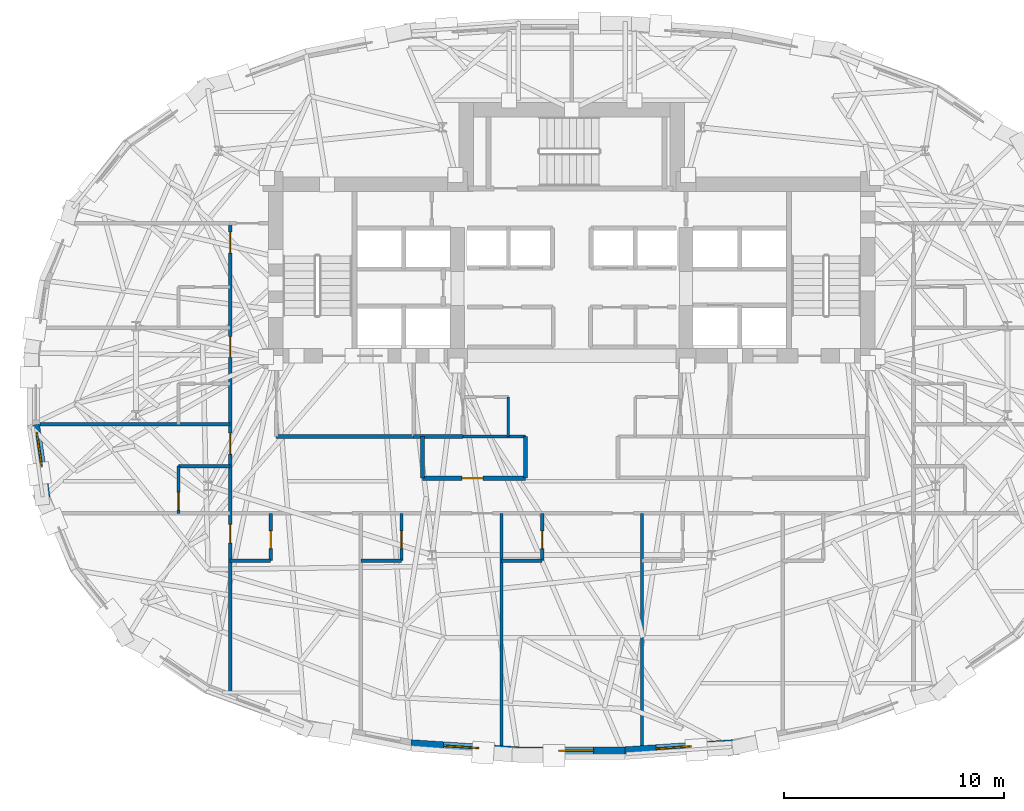
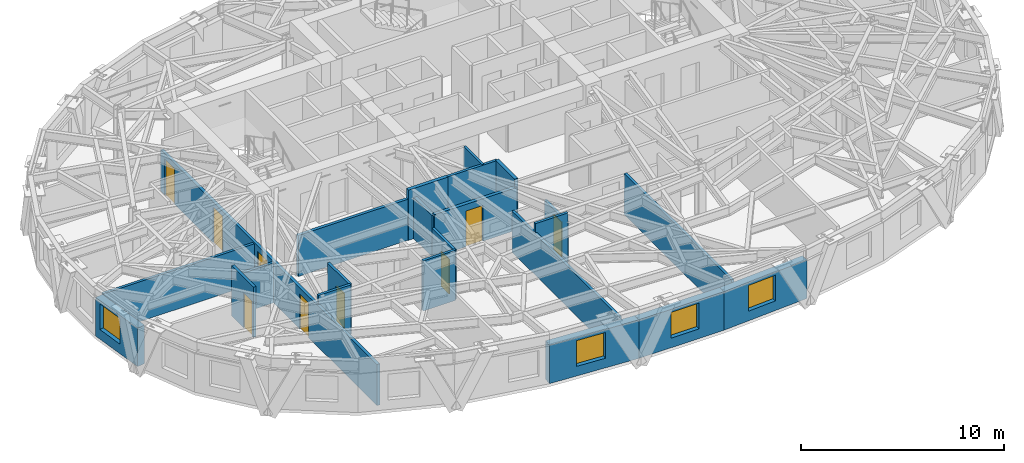
# One storey, part 6 of 15: 23 walls, 9 doors, 4 windows, 13 openings.
"""IFC4 building model written with IfcOpenShell, lengths in metres."""

from ifc_helpers import new_model, si_unit, direction, frame, frame_2d, origin, place, context, subcontext, project, spatial, rectangle, extrude, material, layer, layer_set, type_object, element, fill, save


model = new_model("IFC4")

# Units and contexts
model_context = context("Model", 3, precision=1e-05, world=origin(), true_north=direction((0.0, 1.0)))
body_context = subcontext(model_context, "Body", "Model", "MODEL_VIEW")
ifc_project = project(units=[si_unit("LENGTHUNIT", "METRE"), si_unit("AREAUNIT", "SQUARE_METRE"), si_unit("VOLUMEUNIT", "CUBIC_METRE"), si_unit("PLANEANGLEUNIT", "RADIAN"), si_unit("MASSUNIT", "GRAM", prefix="KILO")], contexts=[model_context])

# Site, building, storey
site_placement = place(None, origin())
site = spatial("IfcSite", under=ifc_project, at=site_placement, CompositionType="ELEMENT")
building_placement = place(site_placement, origin())
building = spatial("IfcBuilding", under=site, at=building_placement, Name="Keldmark Tower", CompositionType="ELEMENT")
storey_placement = place(building_placement, frame((0.0, 0.0, 147.0)))
storey = spatial("IfcBuildingStorey", under=building, at=storey_placement, Name="L39", CompositionType="ELEMENT", Elevation=147.0)

# Wall, opening, door
ifc_material_1 = material(Name="Heavy Acoustic Plumbing Chase Gypsum Assembly", Category="gypsum")
ifc_layer_1 = layer(ifc_material_1, 0.18994140625)
ifc_layer_set_1 = layer_set([ifc_layer_1], Name="Heavy Acoustic Plumbing Chase Gypsum Assembly")
wall_type_1 = type_object("IfcWallType", Name="Heavy Wet Wall 190 mm", PredefinedType="PLUMBINGWALL", material=ifc_layer_set_1)
wall_1_placement = place(storey_placement, frame((-6.800048828125, -4.050048828125, 0.0), z_axis=(0.0, 0.0, 1.0), x_axis=(1.0, 0.0, 0.0)))
wall_1 = element("IfcWall", 1, at=wall_1_placement, inside=storey, type_object=wall_type_1, Name="L39 Heavy Wet Wall 190 mm SPK-W-S", PredefinedType="PLUMBINGWALL", context=body_context, shape_type="SweptSolid", body=[
    extrude(rectangle(XDim=4.699951171875, YDim=0.18994140625, at=frame_2d((2.35009765625, 0.0))), origin(), (0.0, 0.0, 1.0), 2.554931640625),
])
opening_1_placement = place(wall_1_placement, frame((1.800048828125, 0.0, 0.0)))
opening_1 = element("IfcOpeningElement", 2, at=opening_1_placement, cuts=wall_1, Name="Opening D-AWC95", PredefinedType="OPENING", context=body_context, shape_type="SweptSolid", body=[
    extrude(rectangle(XDim=0.949951171875, YDim=2.14990234375, at=frame_2d((0.47509765625, 1.074951171875))), frame((0.0, 0.10498046875, 0.0), z_axis=(0.0, -1.0, 0.0), x_axis=(1.0, 0.0, 0.0)), (0.0, 0.0, 1.0), 0.2099609375),
])
ifc_material_2 = material(Name="Painted Solid-Core Architectural Wood", Category="wood")
door_type_1 = type_object("IfcDoorType", Name="Accessible WC Door 950x2150", OperationType="NOTDEFINED", PredefinedType="DOOR", material=ifc_material_2)
door_1_placement = place(opening_1_placement, origin())
door_1 = element("IfcDoor", 3, at=door_1_placement, inside=storey, type_object=door_type_1, Name="L39 Accessible WC Door 950x2150 D-SPKW1-L39", OperationType="SINGLE_SWING_LEFT", OverallHeight=2.14990234375, OverallWidth=0.949951171875, PredefinedType="DOOR", context=body_context, shape_type="SweptSolid", body=[
    extrude(rectangle(XDim=0.949951171875, YDim=2.14990234375, at=frame_2d((0.47509765625, 1.074951171875))), frame((0.0, 0.02490234375, 0.0), z_axis=(0.0, -1.0, 0.0), x_axis=(1.0, 0.0, 0.0)), (0.0, 0.0, 1.0), 0.050048828125),
])
fill(opening_1, door_1)

# Walls
wall_2_placement = place(storey_placement, frame((-6.800048828125, -4.050048828125, 0.0), z_axis=(0.0, 0.0, 1.0), x_axis=(0.0, 1.0, 0.0)))
element("IfcWall", 4, at=wall_2_placement, inside=storey, type_object=wall_type_1, Name="L39 Heavy Wet Wall 190 mm SPK-W-W", PredefinedType="PLUMBINGWALL", context=body_context, shape_type="SweptSolid", body=[
    extrude(rectangle(XDim=1.900146484375, YDim=0.18994140625, at=frame_2d((0.9501953125, 0.0))), origin(), (0.0, 0.0, 1.0), 2.472900390625),
])
wall_3_placement = place(storey_placement, frame((-2.10009765625, -4.050048828125, 0.0), z_axis=(0.0, 0.0, 1.0), x_axis=(0.0, 1.0, 0.0)))
element("IfcWall", 5, at=wall_3_placement, inside=storey, type_object=wall_type_1, Name="L39 Heavy Wet Wall 190 mm SPK-W-E", PredefinedType="PLUMBINGWALL", context=body_context, shape_type="SweptSolid", body=[
    extrude(rectangle(XDim=1.900146484375, YDim=0.18994140625, at=frame_2d((0.9501953125, 0.0))), origin(), (0.0, 0.0, 1.0), 3.02001953125),
])
ifc_material_3 = material(Name="Acoustic Gypsum Board Interior Partition", Category="gypsum")
ifc_layer_2 = layer(ifc_material_3, 0.1298828125)
ifc_layer_set_2 = layer_set([ifc_layer_2], Name="Acoustic Gypsum Board Interior Partition")
wall_type_2 = type_object("IfcWallType", Name="Interior Partition 130 mm", PredefinedType="PARTITIONING", material=ifc_layer_set_2)
wall_4_placement = place(storey_placement, frame((-2.889892578125, -2.14990234375, 0.0), z_axis=(0.0, 0.0, 1.0), x_axis=(0.0, 1.0, 0.0)))
element("IfcWall", 6, at=wall_4_placement, inside=storey, type_object=wall_type_2, Name="L39 Interior Partition 130 mm CSC-W-E", PredefinedType="PARTITIONING", context=body_context, shape_type="SweptSolid", body=[
    extrude(rectangle(XDim=1.7998046875, YDim=0.1298828125, at=frame_2d((0.89990234375, 0.0))), origin(), (0.0, 0.0, 1.0), 3.02001953125),
])
ifc_material_4 = material(Name="Type X Fire-Rated Gypsum Partition Assembly", Category="gypsum")
ifc_layer_3 = layer(ifc_material_4, 0.1650390625)
ifc_layer_set_3 = layer_set([ifc_layer_3], Name="Type X Fire-Rated Gypsum Partition Assembly")
wall_type_3 = type_object("IfcWallType", Name="Rated Partition 165 mm", PredefinedType="PARTITIONING", material=ifc_layer_set_3)
wall_5_placement = place(storey_placement, frame((-13.449951171875, -2.14990234375, 0.0), z_axis=(0.0, 0.0, 1.0), x_axis=(1.0, 0.0, 0.0)))
element("IfcWall", 7, at=wall_5_placement, inside=storey, type_object=wall_type_3, Name="L39 Rated Partition 165 mm FSAE-W-S", PredefinedType="PARTITIONING", context=body_context, shape_type="SweptSolid", body=[
    extrude(rectangle(XDim=6.25, YDim=0.1650390625, at=frame_2d((3.125, 0.0))), origin(), (0.0, 0.0, 1.0), 2.472900390625),
])

# Wall, openings, doors
wall_6_placement = place(storey_placement, frame((-15.550048828125, -13.77783203125, 0.0), z_axis=(0.0, 0.0, 1.0), x_axis=(0.0, 1.0, 0.0)))
wall_6 = element("IfcWall", 8, at=wall_6_placement, inside=storey, type_object=wall_type_3, Name="L39 Rated Partition 165 mm HCOR-W", PredefinedType="PARTITIONING", context=body_context, shape_type="SweptSolid", body=[
    extrude(rectangle(XDim=21.327880859375, YDim=0.1650390625, at=frame_2d((10.6640625, 0.0))), origin(), (0.0, 0.0, 1.0), 2.472900390625),
])
opening_2_placement = place(wall_6_placement, frame((6.77734375, 0.0, 0.0)))
opening_2 = element("IfcOpeningElement", 9, at=opening_2_placement, cuts=wall_6, Name="Opening D-IN085", PredefinedType="OPENING", context=body_context, shape_type="SweptSolid", body=[
    extrude(rectangle(XDim=0.85009765625, YDim=2.10009765625, at=frame_2d((0.425048828125, 1.050048828125))), frame((0.0, 0.092529296875, 0.0), z_axis=(0.0, -1.0, 0.0), x_axis=(1.0, 0.0, 0.0)), (0.0, 0.0, 1.0), 0.18505859375),
])
opening_3_placement = place(wall_6_placement, frame((10.827392578125, 0.0, 0.0)))
opening_3 = element("IfcOpeningElement", 10, at=opening_3_placement, cuts=wall_6, Name="Opening D-HT095", PredefinedType="OPENING", context=body_context, shape_type="SweptSolid", body=[
    extrude(rectangle(XDim=0.949951171875, YDim=2.14990234375, at=frame_2d((0.47509765625, 1.074951171875))), frame((0.0, 0.092529296875, 0.0), z_axis=(0.0, -1.0, 0.0), x_axis=(1.0, 0.0, 0.0)), (0.0, 0.0, 1.0), 0.18505859375),
])
opening_4_placement = place(wall_6_placement, frame((15.227294921875, 0.0, 0.0)))
opening_4 = element("IfcOpeningElement", 11, at=opening_4_placement, cuts=wall_6, Name="Opening D-HT095", PredefinedType="OPENING", context=body_context, shape_type="SweptSolid", body=[
    extrude(rectangle(XDim=0.949951171875, YDim=2.14990234375, at=frame_2d((0.47509765625, 1.074951171875))), frame((0.0, 0.092529296875, 0.0), z_axis=(0.0, -1.0, 0.0), x_axis=(1.0, 0.0, 0.0)), (0.0, 0.0, 1.0), 0.18505859375),
])
opening_5_placement = place(wall_6_placement, frame((19.977294921875, 0.0, 0.0)))
opening_5 = element("IfcOpeningElement", 12, at=opening_5_placement, cuts=wall_6, Name="Opening D-HT095", PredefinedType="OPENING", context=body_context, shape_type="SweptSolid", body=[
    extrude(rectangle(XDim=0.949951171875, YDim=2.14990234375, at=frame_2d((0.47509765625, 1.074951171875))), frame((0.0, 0.092529296875, 0.0), z_axis=(0.0, -1.0, 0.0), x_axis=(1.0, 0.0, 0.0)), (0.0, 0.0, 1.0), 0.18505859375),
])
ifc_material_5 = material(Name="Solid-Core Acoustic White Oak Fire-Rated Assembly", Category="wood")
door_type_2 = type_object("IfcDoorType", Name="Hotel Entry Door 950x2150", OperationType="NOTDEFINED", PredefinedType="DOOR", material=ifc_material_5)
door_2_placement = place(opening_3_placement, origin())
door_2 = element("IfcDoor", 13, at=door_2_placement, inside=storey, type_object=door_type_2, Name="L39 Hotel Entry Door 950x2150 D-HR-6-L39", OperationType="SINGLE_SWING_RIGHT", OverallHeight=2.14990234375, OverallWidth=0.949951171875, PredefinedType="DOOR", context=body_context, shape_type="SweptSolid", body=[
    extrude(rectangle(XDim=0.949951171875, YDim=2.14990234375, at=frame_2d((0.47509765625, 1.074951171875))), frame((0.0, 0.02490234375, 0.0), z_axis=(0.0, -1.0, 0.0), x_axis=(1.0, 0.0, 0.0)), (0.0, 0.0, 1.0), 0.050048828125),
])
fill(opening_3, door_2)
door_3_placement = place(opening_4_placement, origin())
door_3 = element("IfcDoor", 14, at=door_3_placement, inside=storey, type_object=door_type_2, Name="L39 Hotel Entry Door 950x2150 D-HR-7-L39", OperationType="SINGLE_SWING_RIGHT", OverallHeight=2.14990234375, OverallWidth=0.949951171875, PredefinedType="DOOR", context=body_context, shape_type="SweptSolid", body=[
    extrude(rectangle(XDim=0.949951171875, YDim=2.14990234375, at=frame_2d((0.47509765625, 1.074951171875))), frame((0.0, 0.02490234375, 0.0), z_axis=(0.0, -1.0, 0.0), x_axis=(1.0, 0.0, 0.0)), (0.0, 0.0, 1.0), 0.050048828125),
])
fill(opening_4, door_3)
door_4_placement = place(opening_5_placement, origin())
door_4 = element("IfcDoor", 15, at=door_4_placement, inside=storey, type_object=door_type_2, Name="L39 Hotel Entry Door 950x2150 D-HR-8-L39", OperationType="SINGLE_SWING_RIGHT", OverallHeight=2.14990234375, OverallWidth=0.949951171875, PredefinedType="DOOR", context=body_context, shape_type="SweptSolid", body=[
    extrude(rectangle(XDim=0.949951171875, YDim=2.14990234375, at=frame_2d((0.47509765625, 1.074951171875))), frame((0.0, 0.02490234375, 0.0), z_axis=(0.0, -1.0, 0.0), x_axis=(1.0, 0.0, 0.0)), (0.0, 0.0, 1.0), 0.050048828125),
])
fill(opening_5, door_4)
ifc_material_6 = material(Name="Painted Architectural Wood", Category="wood")
door_type_3 = type_object("IfcDoorType", Name="Interior Door 850x2100", OperationType="NOTDEFINED", PredefinedType="DOOR", material=ifc_material_6)
door_5_placement = place(opening_2_placement, origin())
door_5 = element("IfcDoor", 16, at=door_5_placement, inside=storey, type_object=door_type_3, Name="L39 Interior Door 850x2100 D-HKSW-L39", OperationType="SINGLE_SWING_LEFT", OverallHeight=2.10009765625, OverallWidth=0.85009765625, PredefinedType="DOOR", context=body_context, shape_type="SweptSolid", body=[
    extrude(rectangle(XDim=0.85009765625, YDim=2.10009765625, at=frame_2d((0.425048828125, 1.050048828125))), frame((0.0, 0.02490234375, 0.0), z_axis=(0.0, -1.0, 0.0), x_axis=(1.0, 0.0, 0.0)), (0.0, 0.0, 1.0), 0.050048828125),
])
fill(opening_2, door_5)

# Wall
ifc_material_7 = material(Name="Fire-Resistant Type X Gypsum Shaftliner Coreboard", Category="gypsum")
ifc_layer_4 = layer(ifc_material_7, 0.199951171875)
ifc_layer_set_4 = layer_set([ifc_layer_4], Name="Fire-Resistant Type X Gypsum Shaftliner Coreboard")
wall_type_4 = type_object("IfcWallType", Name="Shaft Wall 200 mm", PredefinedType="SOLIDWALL", material=ifc_layer_set_4)
wall_7_placement = place(storey_placement, frame((-7.199951171875, -2.14990234375, 0.0), z_axis=(0.0, 0.0, 1.0), x_axis=(1.0, 0.0, 0.0)))
element("IfcWall", 17, at=wall_7_placement, inside=storey, type_object=wall_type_4, Name="L39 Shaft Wall 200 mm RIS-SW-S", PredefinedType="SOLIDWALL", context=body_context, shape_type="SweptSolid", body=[
    extrude(rectangle(XDim=2.25, YDim=0.199951171875, at=frame_2d((1.125, 0.0))), origin(), (0.0, 0.0, 1.0), 3.02001953125),
])

# Wall, opening, window
ifc_material_8 = material(Name="Ironspot Manganese Brick and Kasota Buff Limestone Spandrel Assembly", Category="masonry")
ifc_layer_5 = layer(ifc_material_8, 0.43994140625)
ifc_layer_set_5 = layer_set([ifc_layer_5], Name="Ironspot Manganese Brick and Kasota Buff Limestone Spandrel Assembly")
wall_type_5 = type_object("IfcWallType", Name="Tower Brick Pier and Spandrel Wall 440 mm", PredefinedType="STANDARD", material=ifc_layer_set_5)
wall_8_placement = place(storey_placement, frame((-23.9580078125, -4.939697265625, 0.0), z_axis=(0.0, 0.0, 1.0), x_axis=(-0.142296299692, 0.989824107149, 0.0)))
wall_8 = element("IfcWall", 18, at=wall_8_placement, inside=storey, type_object=wall_type_5, Name="L39 Exterior Brick and Spandrel Wall 17", PredefinedType="STANDARD", context=body_context, shape_type="SweptSolid", body=[
    extrude(rectangle(XDim=3.359375, YDim=0.43994140625, at=frame_2d((1.6796875, 0.0))), origin(), (0.0, 0.0, 1.0), 2.31494140625),
])
opening_6_placement = place(wall_8_placement, frame((1.41357421875, 0.0, 0.580078125)))
opening_6 = element("IfcOpeningElement", 19, at=opening_6_placement, cuts=wall_8, Name="Opening W-04", PredefinedType="OPENING", context=body_context, shape_type="SweptSolid", body=[
    extrude(rectangle(XDim=1.60009765625, YDim=1.550048828125, at=frame_2d((0.800048828125, 0.77490234375))), frame((0.0, 0.22998046875, 0.0), z_axis=(0.0, -1.0, 0.0), x_axis=(1.0, 0.0, 0.0)), (0.0, 0.0, 1.0), 0.4599609375),
])
ifc_material_9 = material(Name="Thermally Broken Anodized Aluminum and Triple Low-E Argon Glazing", Category="aluminium")
window_type = type_object("IfcWindowType", Name="Hotel Deep-Set Operable Window 1600x1550", PartitioningType="DOUBLE_PANEL_HORIZONTAL", PredefinedType="WINDOW", material=ifc_material_9)
window_1_placement = place(opening_6_placement, origin())
window_1 = element("IfcWindow", 20, at=window_1_placement, inside=storey, type_object=window_type, Name="L39 Deep-Set Window 17", OverallHeight=1.550048828125, OverallWidth=1.60009765625, PartitioningType="SINGLE_PANEL", PredefinedType="WINDOW", context=body_context, shape_type="SweptSolid", body=[
    extrude(rectangle(XDim=1.60009765625, YDim=1.550048828125, at=frame_2d((0.800048828125, 0.77490234375))), frame((0.0, -0.010009765625, 0.0), z_axis=(0.0, -1.0, 0.0), x_axis=(1.0, 0.0, 0.0)), (0.0, 0.0, 1.0), 0.06005859375),
])
fill(opening_6, window_1)

wall_9_placement = place(storey_placement, frame((-2.413818359375, -16.49169921875, 0.0), z_axis=(0.0, 0.0, 1.0), x_axis=(-0.997822793171, 0.065952054018, 0.0)))
wall_9 = element("IfcWall", 21, at=wall_9_placement, inside=storey, type_object=wall_type_5, Name="L39 Exterior Brick and Spandrel Wall 23", PredefinedType="STANDARD", context=body_context, shape_type="SweptSolid", body=[
    extrude(rectangle(XDim=4.916015625, YDim=0.43994140625, at=frame_2d((2.4580078125, 0.0))), origin(), (0.0, 0.0, 1.0), 2.31494140625),
])
opening_7_placement = place(wall_9_placement, frame((1.8310546875, 0.0, 0.580078125)))
opening_7 = element("IfcOpeningElement", 22, at=opening_7_placement, cuts=wall_9, Name="Opening W-04", PredefinedType="OPENING", context=body_context, shape_type="SweptSolid", body=[
    extrude(rectangle(XDim=1.60009765625, YDim=1.550048828125, at=frame_2d((0.800048828125, 0.77490234375))), frame((0.0, 0.22998046875, 0.0), z_axis=(0.0, -1.0, 0.0), x_axis=(1.0, 0.0, 0.0)), (0.0, 0.0, 1.0), 0.4599609375),
])
window_2_placement = place(opening_7_placement, origin())
window_2 = element("IfcWindow", 23, at=window_2_placement, inside=storey, type_object=window_type, Name="L39 Deep-Set Window 23", OverallHeight=1.550048828125, OverallWidth=1.60009765625, PartitioningType="SINGLE_PANEL", PredefinedType="WINDOW", context=body_context, shape_type="SweptSolid", body=[
    extrude(rectangle(XDim=1.60009765625, YDim=1.550048828125, at=frame_2d((0.800048828125, 0.77490234375))), frame((0.0, -0.010009765625, 0.0), z_axis=(0.0, -1.0, 0.0), x_axis=(1.0, 0.0, 0.0)), (0.0, 0.0, 1.0), 0.06005859375),
])
fill(opening_7, window_2)

wall_10_placement = place(storey_placement, frame((2.42822265625, -16.4912109375, 0.0), z_axis=(0.0, 0.0, 1.0), x_axis=(-1.0, 0.0, 0.0)))
wall_10 = element("IfcWall", 24, at=wall_10_placement, inside=storey, type_object=wall_type_5, Name="L39 Exterior Brick and Spandrel Wall 24", PredefinedType="STANDARD", context=body_context, shape_type="SweptSolid", body=[
    extrude(rectangle(XDim=4.8564453125, YDim=0.43994140625, at=frame_2d((2.42822265625, 0.0))), origin(), (0.0, 0.0, 1.0), 2.31494140625),
])
opening_8_placement = place(wall_10_placement, frame((1.43115234375, 0.0, 0.580078125)))
opening_8 = element("IfcOpeningElement", 25, at=opening_8_placement, cuts=wall_10, Name="Opening W-04", PredefinedType="OPENING", context=body_context, shape_type="SweptSolid", body=[
    extrude(rectangle(XDim=1.60009765625, YDim=1.550048828125, at=frame_2d((0.800048828125, 0.77490234375))), frame((0.0, 0.22998046875, 0.0), z_axis=(0.0, -1.0, 0.0), x_axis=(1.0, 0.0, 0.0)), (0.0, 0.0, 1.0), 0.4599609375),
])
window_3_placement = place(opening_8_placement, origin())
window_3 = element("IfcWindow", 26, at=window_3_placement, inside=storey, type_object=window_type, Name="L39 Deep-Set Window 24", OverallHeight=1.550048828125, OverallWidth=1.60009765625, PartitioningType="SINGLE_PANEL", PredefinedType="WINDOW", context=body_context, shape_type="SweptSolid", body=[
    extrude(rectangle(XDim=1.60009765625, YDim=1.550048828125, at=frame_2d((0.800048828125, 0.77490234375))), frame((0.0, -0.010009765625, 0.0), z_axis=(0.0, -1.0, 0.0), x_axis=(1.0, 0.0, 0.0)), (0.0, 0.0, 1.0), 0.06005859375),
])
fill(opening_8, window_3)

wall_11_placement = place(storey_placement, frame((7.319091796875, -16.16748046875, 0.0), z_axis=(0.0, 0.0, 1.0), x_axis=(-0.997822793171, -0.065952054018, 0.0)))
wall_11 = element("IfcWall", 27, at=wall_11_placement, inside=storey, type_object=wall_type_5, Name="L39 Exterior Brick and Spandrel Wall 25", PredefinedType="STANDARD", context=body_context, shape_type="SweptSolid", body=[
    extrude(rectangle(XDim=4.916015625, YDim=0.43994140625, at=frame_2d((2.4580078125, 0.0))), origin(), (0.0, 0.0, 1.0), 2.31494140625),
])
opening_9_placement = place(wall_11_placement, frame((1.880615234375, 0.0, 0.580078125)))
opening_9 = element("IfcOpeningElement", 28, at=opening_9_placement, cuts=wall_11, Name="Opening W-04", PredefinedType="OPENING", context=body_context, shape_type="SweptSolid", body=[
    extrude(rectangle(XDim=1.60009765625, YDim=1.550048828125, at=frame_2d((0.800048828125, 0.77490234375))), frame((0.0, 0.22998046875, 0.0), z_axis=(0.0, -1.0, 0.0), x_axis=(1.0, 0.0, 0.0)), (0.0, 0.0, 1.0), 0.4599609375),
])
window_4_placement = place(opening_9_placement, origin())
window_4 = element("IfcWindow", 29, at=window_4_placement, inside=storey, type_object=window_type, Name="L39 Deep-Set Window 25", OverallHeight=1.550048828125, OverallWidth=1.60009765625, PartitioningType="SINGLE_PANEL", PredefinedType="WINDOW", context=body_context, shape_type="SweptSolid", body=[
    extrude(rectangle(XDim=1.60009765625, YDim=1.550048828125, at=frame_2d((0.800048828125, 0.77490234375))), frame((0.0, -0.010009765625, 0.0), z_axis=(0.0, -1.0, 0.0), x_axis=(1.0, 0.0, 0.0)), (0.0, 0.0, 1.0), 0.06005859375),
])
fill(opening_9, window_4)

# Walls
ifc_material_10 = material(Name="Moisture-Resistant Gypsum Plumbing Partition", Category="gypsum")
ifc_layer_6 = layer(ifc_material_10, 0.14990234375)
ifc_layer_set_6 = layer_set([ifc_layer_6], Name="Moisture-Resistant Gypsum Plumbing Partition")
wall_type_6 = type_object("IfcWallType", Name="Wet Wall 150 mm", PredefinedType="PLUMBINGWALL", material=ifc_layer_set_6)
wall_12_placement = place(storey_placement, frame((-4.949951171875, -2.14990234375, 0.0), z_axis=(0.0, 0.0, 1.0), x_axis=(1.0, 0.0, 0.0)))
element("IfcWall", 30, at=wall_12_placement, inside=storey, type_object=wall_type_6, Name="L39 Wet Wall 150 mm SPK-W-N", PredefinedType="PLUMBINGWALL", context=body_context, shape_type="SweptSolid", body=[
    extrude(rectangle(XDim=2.849853515625, YDim=0.14990234375, at=frame_2d((1.4248046875, 0.0))), origin(), (0.0, 0.0, 1.0), 3.02001953125),
])
for number, where, z_axis, x_axis, name in (
    (31, (-3.199951171875, -16.211181640625, 0.0), (0.0, 0.0, 1.0), (0.0, 1.0, 0.0), "L39 Wet Wall 150 mm HS-DIV-2"),
    (32, (3.199951171875, -16.211181640625, 0.0), (0.0, 0.0, 1.0), (0.0, 1.0, 0.0), "L39 Wet Wall 150 mm HS-DIV-3"),
):
    element("IfcWall", number, at=place(storey_placement, frame(where, z_axis=z_axis, x_axis=x_axis)), inside=storey, type_object=wall_type_6, Name=name, PredefinedType="PLUMBINGWALL", context=body_context, shape_type="SweptSolid", body=[
        extrude(rectangle(XDim=10.561279296875, YDim=0.14990234375, at=frame_2d((5.28076171875, 0.0))), origin(), (0.0, 0.0, 1.0), 2.472900390625),
    ])

# Wall, opening, door
wall_13_placement = place(storey_placement, frame((-13.699951171875, -7.800048828125, 0.0), z_axis=(0.0, 0.0, 1.0), x_axis=(0.0, 1.0, 0.0)))
wall_13 = element("IfcWall", 33, at=wall_13_placement, inside=storey, type_object=wall_type_6, Name="L39 Wet Wall 150 mm HB-S1-E", PredefinedType="PLUMBINGWALL", context=body_context, shape_type="SweptSolid", body=[
    extrude(rectangle(XDim=2.150146484375, YDim=0.14990234375, at=frame_2d((1.0751953125, 0.0))), origin(), (0.0, 0.0, 1.0), 3.02001953125),
])
opening_10_placement = place(wall_13_placement, frame((0.550048828125, 0.0, 0.0)))
opening_10 = element("IfcOpeningElement", 34, at=opening_10_placement, cuts=wall_13, Name="Opening D-BT080", PredefinedType="OPENING", context=body_context, shape_type="SweptSolid", body=[
    extrude(rectangle(XDim=0.800048828125, YDim=2.10009765625, at=frame_2d((0.39990234375, 1.050048828125))), frame((0.0, 0.0849609375, 0.0), z_axis=(0.0, -1.0, 0.0), x_axis=(1.0, 0.0, 0.0)), (0.0, 0.0, 1.0), 0.169921875),
])
ifc_material_11 = material(Name="Moisture-Sealed Stained Wood", Category="wood")
door_type_4 = type_object("IfcDoorType", Name="Bathroom Door 800x2100", OperationType="NOTDEFINED", PredefinedType="DOOR", material=ifc_material_11)
door_6_placement = place(opening_10_placement, origin())
door_6 = element("IfcDoor", 35, at=door_6_placement, inside=storey, type_object=door_type_4, Name="L39 Bathroom Door 800x2100 D-HBS1-L39", OperationType="SINGLE_SWING_RIGHT", OverallHeight=2.10009765625, OverallWidth=0.800048828125, PredefinedType="DOOR", context=body_context, shape_type="SweptSolid", body=[
    extrude(rectangle(XDim=0.800048828125, YDim=2.10009765625, at=frame_2d((0.39990234375, 1.050048828125))), frame((0.0, 0.02490234375, 0.0), z_axis=(0.0, -1.0, 0.0), x_axis=(1.0, 0.0, 0.0)), (0.0, 0.0, 1.0), 0.050048828125),
])
fill(opening_10, door_6)

# Wall
wall_14_placement = place(storey_placement, frame((-15.550048828125, -7.800048828125, 0.0), z_axis=(0.0, 0.0, 1.0), x_axis=(1.0, 0.0, 0.0)))
element("IfcWall", 36, at=wall_14_placement, inside=storey, type_object=wall_type_6, Name="L39 Wet Wall 150 mm HB-S1-S", PredefinedType="PLUMBINGWALL", context=body_context, shape_type="SweptSolid", body=[
    extrude(rectangle(XDim=1.85009765625, YDim=0.14990234375, at=frame_2d((0.925048828125, 0.0))), origin(), (0.0, 0.0, 1.0), 3.02001953125),
])

# Wall, opening, door
wall_15_placement = place(storey_placement, frame((-7.75, -7.800048828125, 0.0), z_axis=(0.0, 0.0, 1.0), x_axis=(0.0, 1.0, 0.0)))
wall_15 = element("IfcWall", 37, at=wall_15_placement, inside=storey, type_object=wall_type_6, Name="L39 Wet Wall 150 mm HB-S2-E", PredefinedType="PLUMBINGWALL", context=body_context, shape_type="SweptSolid", body=[
    extrude(rectangle(XDim=2.150146484375, YDim=0.14990234375, at=frame_2d((1.0751953125, 0.0))), origin(), (0.0, 0.0, 1.0), 3.02001953125),
])
opening_11_placement = place(wall_15_placement, frame((0.550048828125, 0.0, 0.0)))
opening_11 = element("IfcOpeningElement", 38, at=opening_11_placement, cuts=wall_15, Name="Opening D-BT080", PredefinedType="OPENING", context=body_context, shape_type="SweptSolid", body=[
    extrude(rectangle(XDim=0.800048828125, YDim=2.10009765625, at=frame_2d((0.39990234375, 1.050048828125))), frame((0.0, 0.0849609375, 0.0), z_axis=(0.0, -1.0, 0.0), x_axis=(1.0, 0.0, 0.0)), (0.0, 0.0, 1.0), 0.169921875),
])
door_7_placement = place(opening_11_placement, origin())
door_7 = element("IfcDoor", 39, at=door_7_placement, inside=storey, type_object=door_type_4, Name="L39 Bathroom Door 800x2100 D-HBS2-L39", OperationType="SINGLE_SWING_RIGHT", OverallHeight=2.10009765625, OverallWidth=0.800048828125, PredefinedType="DOOR", context=body_context, shape_type="SweptSolid", body=[
    extrude(rectangle(XDim=0.800048828125, YDim=2.10009765625, at=frame_2d((0.39990234375, 1.050048828125))), frame((0.0, 0.02490234375, 0.0), z_axis=(0.0, -1.0, 0.0), x_axis=(1.0, 0.0, 0.0)), (0.0, 0.0, 1.0), 0.050048828125),
])
fill(opening_11, door_7)

# Wall
wall_16_placement = place(storey_placement, frame((-9.60009765625, -7.800048828125, 0.0), z_axis=(0.0, 0.0, 1.0), x_axis=(1.0, 0.0, 0.0)))
element("IfcWall", 40, at=wall_16_placement, inside=storey, type_object=wall_type_6, Name="L39 Wet Wall 150 mm HB-S2-S", PredefinedType="PLUMBINGWALL", context=body_context, shape_type="SweptSolid", body=[
    extrude(rectangle(XDim=1.85009765625, YDim=0.14990234375, at=frame_2d((0.925048828125, 0.0))), origin(), (0.0, 0.0, 1.0), 3.02001953125),
])

# Wall, opening, door
wall_17_placement = place(storey_placement, frame((-1.35009765625, -7.800048828125, 0.0), z_axis=(0.0, 0.0, 1.0), x_axis=(0.0, 1.0, 0.0)))
wall_17 = element("IfcWall", 41, at=wall_17_placement, inside=storey, type_object=wall_type_6, Name="L39 Wet Wall 150 mm HB-S3-E", PredefinedType="PLUMBINGWALL", context=body_context, shape_type="SweptSolid", body=[
    extrude(rectangle(XDim=2.150146484375, YDim=0.14990234375, at=frame_2d((1.0751953125, 0.0))), origin(), (0.0, 0.0, 1.0), 2.472900390625),
])
opening_12_placement = place(wall_17_placement, frame((0.550048828125, 0.0, 0.0)))
opening_12 = element("IfcOpeningElement", 42, at=opening_12_placement, cuts=wall_17, Name="Opening D-BT080", PredefinedType="OPENING", context=body_context, shape_type="SweptSolid", body=[
    extrude(rectangle(XDim=0.800048828125, YDim=2.10009765625, at=frame_2d((0.39990234375, 1.050048828125))), frame((0.0, 0.0849609375, 0.0), z_axis=(0.0, -1.0, 0.0), x_axis=(1.0, 0.0, 0.0)), (0.0, 0.0, 1.0), 0.169921875),
])
door_8_placement = place(opening_12_placement, origin())
door_8 = element("IfcDoor", 43, at=door_8_placement, inside=storey, type_object=door_type_4, Name="L39 Bathroom Door 800x2100 D-HBS3-L39", OperationType="SINGLE_SWING_RIGHT", OverallHeight=2.10009765625, OverallWidth=0.800048828125, PredefinedType="DOOR", context=body_context, shape_type="SweptSolid", body=[
    extrude(rectangle(XDim=0.800048828125, YDim=2.10009765625, at=frame_2d((0.39990234375, 1.050048828125))), frame((0.0, 0.02490234375, 0.0), z_axis=(0.0, -1.0, 0.0), x_axis=(1.0, 0.0, 0.0)), (0.0, 0.0, 1.0), 0.050048828125),
])
fill(opening_12, door_8)

# Walls
wall_18_placement = place(storey_placement, frame((-3.199951171875, -7.800048828125, 0.0), z_axis=(0.0, 0.0, 1.0), x_axis=(1.0, 0.0, 0.0)))
element("IfcWall", 44, at=wall_18_placement, inside=storey, type_object=wall_type_6, Name="L39 Wet Wall 150 mm HB-S3-S", PredefinedType="PLUMBINGWALL", context=body_context, shape_type="SweptSolid", body=[
    extrude(rectangle(XDim=1.849853515625, YDim=0.14990234375, at=frame_2d((0.9248046875, 0.0))), origin(), (0.0, 0.0, 1.0), 3.02001953125),
])
wall_19_placement = place(storey_placement, frame((-24.205810546875, -1.60009765625, 0.0), z_axis=(0.0, 0.0, 1.0), x_axis=(1.0, 0.0, 0.0)))
element("IfcWall", 45, at=wall_19_placement, inside=storey, type_object=wall_type_6, Name="L39 Wet Wall 150 mm HW-DIV-1", PredefinedType="PLUMBINGWALL", context=body_context, shape_type="SweptSolid", body=[
    extrude(rectangle(XDim=8.65576171875, YDim=0.14990234375, at=frame_2d((4.327880859375, 0.0))), origin(), (0.0, 0.0, 1.0), 2.39794921875),
])
wall_20_placement = place(storey_placement, frame((-17.89990234375, -3.5, 0.0), z_axis=(0.0, 0.0, 1.0), x_axis=(1.0, 0.0, 0.0)))
element("IfcWall", 46, at=wall_20_placement, inside=storey, type_object=wall_type_6, Name="L39 Wet Wall 150 mm HB-6-N", PredefinedType="PLUMBINGWALL", context=body_context, shape_type="SweptSolid", body=[
    extrude(rectangle(XDim=2.349853515625, YDim=0.14990234375, at=frame_2d((1.1748046875, 0.0))), origin(), (0.0, 0.0, 1.0), 2.39794921875),
])

# Wall, opening, door
wall_21_placement = place(storey_placement, frame((-17.89990234375, -5.64990234375, 0.0), z_axis=(0.0, 0.0, 1.0), x_axis=(0.0, 1.0, 0.0)))
wall_21 = element("IfcWall", 47, at=wall_21_placement, inside=storey, type_object=wall_type_6, Name="L39 Wet Wall 150 mm HB-6-IN", PredefinedType="PLUMBINGWALL", context=body_context, shape_type="SweptSolid", body=[
    extrude(rectangle(XDim=2.14990234375, YDim=0.14990234375, at=frame_2d((1.074951171875, 0.0))), origin(), (0.0, 0.0, 1.0), 3.02001953125),
])
opening_13_placement = place(wall_21_placement, frame((0.159912109375, 0.0, 0.0)))
opening_13 = element("IfcOpeningElement", 48, at=opening_13_placement, cuts=wall_21, Name="Opening D-BT080", PredefinedType="OPENING", context=body_context, shape_type="SweptSolid", body=[
    extrude(rectangle(XDim=0.800048828125, YDim=2.10009765625, at=frame_2d((0.39990234375, 1.050048828125))), frame((0.0, 0.0849609375, 0.0), z_axis=(0.0, -1.0, 0.0), x_axis=(1.0, 0.0, 0.0)), (0.0, 0.0, 1.0), 0.169921875),
])
door_9_placement = place(opening_13_placement, origin())
door_9 = element("IfcDoor", 49, at=door_9_placement, inside=storey, type_object=door_type_4, Name="L39 Bathroom Door 800x2100 D-HB-6-L39", OperationType="SINGLE_SWING_LEFT", OverallHeight=2.10009765625, OverallWidth=0.800048828125, PredefinedType="DOOR", context=body_context, shape_type="SweptSolid", body=[
    extrude(rectangle(XDim=0.800048828125, YDim=2.10009765625, at=frame_2d((0.39990234375, 1.050048828125))), frame((0.0, 0.02490234375, 0.0), z_axis=(0.0, -1.0, 0.0), x_axis=(1.0, 0.0, 0.0)), (0.0, 0.0, 1.0), 0.050048828125),
])
fill(opening_13, door_9)

save(model, "model.ifc")
